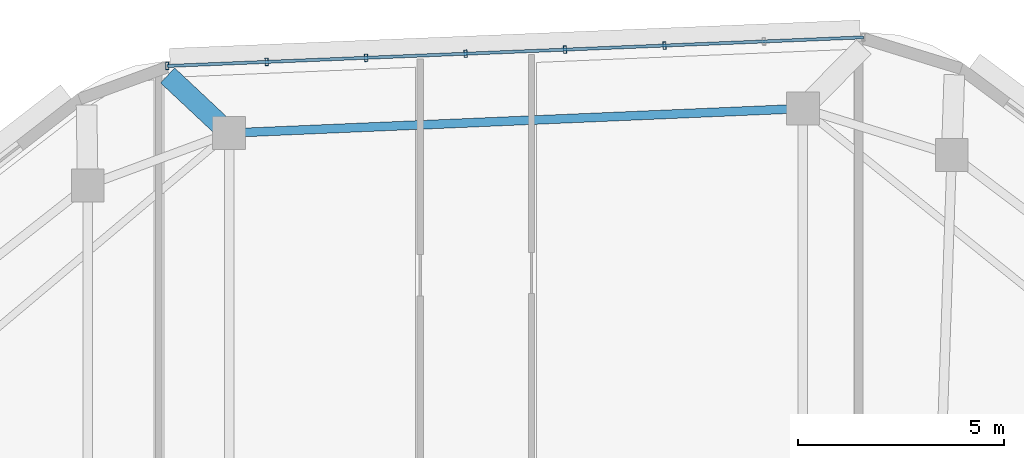
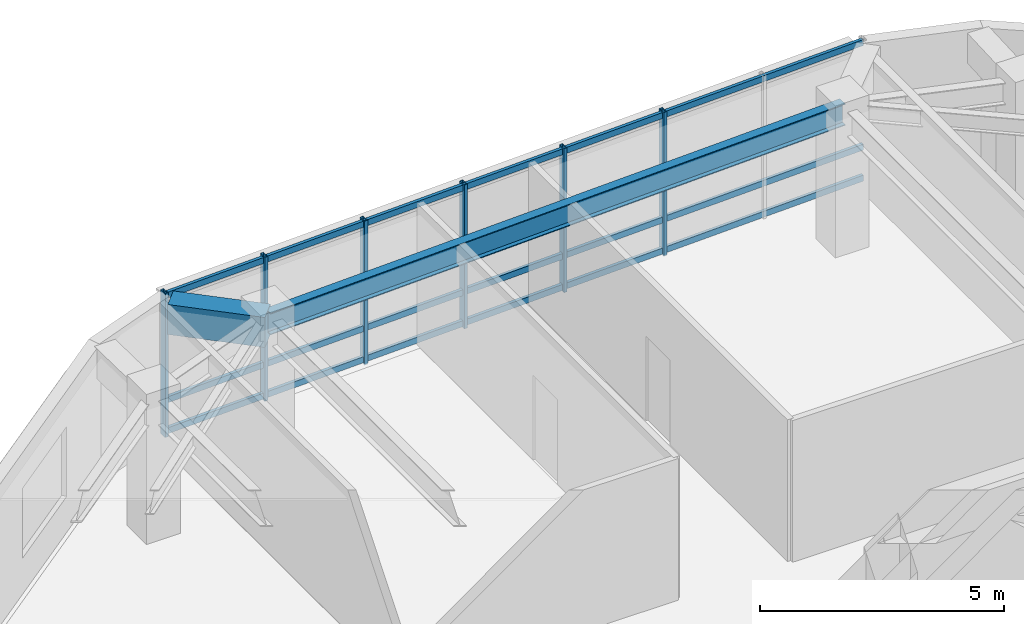
# One storey, part 2 of 12: 9 members, 2 beams, 1 element without a shape of its own.
"""IFC4 building model written with IfcOpenShell, lengths in metres."""

from ifc_helpers import new_model, si_unit, direction, frame, origin, origin_2d, place, context, subcontext, project, spatial, rectangle, hollow_rectangle, i_section, extrude, material, material_profile, profile_set, type_object, element, aggregate, save


model = new_model("IFC4")

# Units and contexts
model_context = context("Model", 3, precision=1e-05, world=origin(), true_north=direction((0.0, 1.0)))
body_context = subcontext(model_context, "Body", "Model", "MODEL_VIEW")
ifc_project = project(units=[si_unit("LENGTHUNIT", "METRE"), si_unit("AREAUNIT", "SQUARE_METRE"), si_unit("VOLUMEUNIT", "CUBIC_METRE"), si_unit("PLANEANGLEUNIT", "RADIAN"), si_unit("MASSUNIT", "GRAM", prefix="KILO")], contexts=[model_context])

# Site, building, storey
site_placement = place(None, origin())
site = spatial("IfcSite", under=ifc_project, at=site_placement, CompositionType="ELEMENT")
building_placement = place(site_placement, origin())
building = spatial("IfcBuilding", under=site, at=building_placement, Name="Zulverin Broadcast Headquarters", CompositionType="ELEMENT")
storey_placement = place(building_placement, frame((0.0, 0.0, 285.800048828125)))
storey = spatial("IfcBuildingStorey", under=building, at=storey_placement, Name="L73", CompositionType="ELEMENT", Elevation=285.800048828125)

# Beams
ifc_material_1 = material(Name="Concrete C40/50", Category="concrete")
ifc_material_profile_1 = material_profile(ifc_material_1, rectangle(XDim=0.5, YDim=0.75, at=origin_2d()), Name="Concrete C40/50", Category="concrete")
ifc_profile_set_1 = profile_set([ifc_material_profile_1], Name="Concrete C40/50")
beam_type_1 = type_object("IfcBeamType", Name="BM-RC-500x750", PredefinedType="BEAM", material=ifc_profile_set_1)
beam_1_placement = place(storey_placement, frame((31.006591796875, 45.699951171875, 3.1650390625), z_axis=(-0.729406997905, 0.684079989041, 0.0), x_axis=(-0.684079989041, -0.729406997905, 0.0)))
element("IfcBeam", 1, at=beam_1_placement, inside=storey, type_object=beam_type_1, Name="L74 Plate Overhang Back-Spanned Beam OVR-10", PredefinedType="BEAM", context=body_context, shape_type="SweptSolid", body=[
    extrude(rectangle(XDim=0.5, YDim=0.75, at=origin_2d()), origin(), (0.0, 0.0, 1.0), 2.046875),
])
ifc_material_2 = material(Name="Structural steel S355JR", Category="steel")
ifc_material_profile_2 = material_profile(ifc_material_2, i_section(OverallWidth=0.2119140625, OverallDepth=0.54443359375, WebThickness=0.0126953125, FlangeThickness=0.021240234375, at=origin_2d()), Name="Structural steel S355JR", Category="steel")
ifc_profile_set_2 = profile_set([ifc_material_profile_2], Name="Structural steel S355JR")
beam_type_2 = type_object("IfcBeamType", Name="BM-UB-533", PredefinedType="SPANDREL", material=ifc_profile_set_2)
beam_2_placement = place(storey_placement, frame((44.944580078125, 46.296630859375, 3.267578125), z_axis=(-0.999084926695, -0.042770424958, 0.0), x_axis=(0.042770424958, -0.999084926695, 0.0)))
element("IfcBeam", 2, at=beam_2_placement, inside=storey, type_object=beam_type_2, Name="L73 Perimeter Spandrel Beam SP-09", PredefinedType="SPANDREL", context=body_context, shape_type="SweptSolid", body=[
    extrude(i_section(OverallWidth=0.2119140625, OverallDepth=0.54443359375, WebThickness=0.0126953125, FlangeThickness=0.021240234375, at=origin_2d()), origin(), (0.0, 0.0, 1.0), 13.95068359375),
])

# Curtain wall, members
ifc_material_3 = material(Name="High-zone solar-control unitised curtain wall", Category="aluminium")
curtain_wall_type = type_object("IfcCurtainWallType", Name="CW-TWR-UPP", PredefinedType="USERDEFINED", material=ifc_material_3)
curtain_wall_placement = place(storey_placement, origin())
curtain_wall = element("IfcCurtainWall", 3, at=curtain_wall_placement, inside=storey, type_object=curtain_wall_type, Name="L73 Unitised Curtain Wall CW-L73-E5", ObjectType="UNITISED CURTAIN WALL", PredefinedType="USERDEFINED")
ifc_material_4 = material(Name="Anodized pale-metal aluminium alloy 6063-T6", Category="aluminium")
ifc_material_profile_3 = material_profile(ifc_material_4, hollow_rectangle(XDim=0.074951171875, YDim=0.179931640625, WallThickness=0.0048828125, at=origin_2d()), Name="Anodized pale-metal aluminium alloy 6063-T6", Category="aluminium")
ifc_profile_set_3 = profile_set([ifc_material_profile_3], Name="Anodized pale-metal aluminium alloy 6063-T6")
member_type_1 = type_object("IfcMemberType", Name="CW-MUL-180", PredefinedType="MULLION", material=ifc_profile_set_3)
member_1_placement = place(storey_placement, frame((41.581787109375, 47.826416015625, -0.030029296875), z_axis=(0.0, 0.0, 1.0), x_axis=(-0.999156343069, -0.041068261531, 0.0)))
member_1 = element("IfcMember", 4, at=member_1_placement, type_object=member_type_1, Name="CW-L73-E5 Mullion 02", PredefinedType="MULLION", context=body_context, shape_type="SweptSolid", body=[
    extrude(hollow_rectangle(XDim=0.074951171875, YDim=0.179931640625, WallThickness=0.0048828125, at=origin_2d()), origin(), (0.0, 0.0, 1.0), 3.60009765625),
])
member_2_placement = place(storey_placement, frame((39.166259765625, 47.72705078125, -0.030029296875), z_axis=(0.0, 0.0, 1.0), x_axis=(-0.999156343069, -0.041068261531, 0.0)))
member_2 = element("IfcMember", 5, at=member_2_placement, type_object=member_type_1, Name="CW-L73-E5 Mullion 03", PredefinedType="MULLION", context=body_context, shape_type="SweptSolid", body=[
    extrude(hollow_rectangle(XDim=0.074951171875, YDim=0.179931640625, WallThickness=0.0048828125, at=origin_2d()), origin(), (0.0, 0.0, 1.0), 3.60009765625),
])
member_3_placement = place(storey_placement, frame((36.750732421875, 47.627685546875, -0.030029296875), z_axis=(0.0, 0.0, 1.0), x_axis=(-0.999156343069, -0.041068261531, 0.0)))
member_3 = element("IfcMember", 6, at=member_3_placement, type_object=member_type_1, Name="CW-L73-E5 Mullion 04", PredefinedType="MULLION", context=body_context, shape_type="SweptSolid", body=[
    extrude(hollow_rectangle(XDim=0.074951171875, YDim=0.179931640625, WallThickness=0.0048828125, at=origin_2d()), origin(), (0.0, 0.0, 1.0), 3.60009765625),
])
member_4_placement = place(storey_placement, frame((34.335205078125, 47.528564453125, -0.030029296875), z_axis=(0.0, 0.0, 1.0), x_axis=(-0.999156343069, -0.041068261531, 0.0)))
member_4 = element("IfcMember", 7, at=member_4_placement, type_object=member_type_1, Name="CW-L73-E5 Mullion 05", PredefinedType="MULLION", context=body_context, shape_type="SweptSolid", body=[
    extrude(hollow_rectangle(XDim=0.074951171875, YDim=0.179931640625, WallThickness=0.0048828125, at=origin_2d()), origin(), (0.0, 0.0, 1.0), 3.60009765625),
])
member_5_placement = place(storey_placement, frame((31.919677734375, 47.42919921875, -0.030029296875), z_axis=(0.0, 0.0, 1.0), x_axis=(-0.999156343069, -0.041068261531, 0.0)))
member_5 = element("IfcMember", 8, at=member_5_placement, type_object=member_type_1, Name="CW-L73-E5 Mullion 06", PredefinedType="MULLION", context=body_context, shape_type="SweptSolid", body=[
    extrude(hollow_rectangle(XDim=0.074951171875, YDim=0.179931640625, WallThickness=0.0048828125, at=origin_2d()), origin(), (0.0, 0.0, 1.0), 3.60009765625),
])
member_6_placement = place(storey_placement, frame((29.504150390625, 47.329833984375, -0.030029296875), z_axis=(0.0, 0.0, 1.0), x_axis=(-0.999156343069, -0.041068261531, 0.0)))
member_6 = element("IfcMember", 9, at=member_6_placement, type_object=member_type_1, Name="CW-L73-E5 Mullion 07", PredefinedType="MULLION", context=body_context, shape_type="SweptSolid", body=[
    extrude(hollow_rectangle(XDim=0.074951171875, YDim=0.179931640625, WallThickness=0.0048828125, at=origin_2d()), origin(), (0.0, 0.0, 1.0), 3.60009765625),
])
ifc_material_profile_4 = material_profile(ifc_material_4, hollow_rectangle(XDim=0.074951171875, YDim=0.14990234375, WallThickness=0.0048828125, at=origin_2d()), Name="Anodized pale-metal aluminium alloy 6063-T6", Category="aluminium")
ifc_profile_set_4 = profile_set([ifc_material_profile_4], Name="Anodized pale-metal aluminium alloy 6063-T6")
member_type_2 = type_object("IfcMemberType", Name="CW-TRN-150", PredefinedType="USERDEFINED", material=ifc_profile_set_4)
member_7_placement = place(storey_placement, frame((46.412841796875, 48.02490234375, 0.074951171875), z_axis=(-0.99915616979, -0.041072477048, 0.0), x_axis=(0.041072477048, -0.99915616979, 0.0)))
member_7 = element("IfcMember", 10, at=member_7_placement, type_object=member_type_2, Name="CW-L73-E5 Transom 0", ObjectType="TRANSOM", PredefinedType="USERDEFINED", context=body_context, shape_type="SweptSolid", body=[
    extrude(hollow_rectangle(XDim=0.074951171875, YDim=0.14990234375, WallThickness=0.0048828125, at=origin_2d()), origin(), (0.0, 0.0, 1.0), 16.9228515625),
])
member_8_placement = place(storey_placement, frame((46.412841796875, 48.02490234375, 0.849609375), z_axis=(-0.99915616979, -0.041072477048, 0.0), x_axis=(0.041072477048, -0.99915616979, 0.0)))
member_8 = element("IfcMember", 11, at=member_8_placement, type_object=member_type_2, Name="CW-L73-E5 Transom 1", ObjectType="TRANSOM", PredefinedType="USERDEFINED", context=body_context, shape_type="SweptSolid", body=[
    extrude(hollow_rectangle(XDim=0.074951171875, YDim=0.14990234375, WallThickness=0.0048828125, at=origin_2d()), origin(), (0.0, 0.0, 1.0), 16.9228515625),
])
member_9_placement = place(storey_placement, frame((46.412841796875, 48.02490234375, 3.46484375), z_axis=(-0.99915616979, -0.041072477048, 0.0), x_axis=(0.041072477048, -0.99915616979, 0.0)))
member_9 = element("IfcMember", 12, at=member_9_placement, type_object=member_type_2, Name="CW-L73-E5 Transom 2", ObjectType="TRANSOM", PredefinedType="USERDEFINED", context=body_context, shape_type="SweptSolid", body=[
    extrude(hollow_rectangle(XDim=0.074951171875, YDim=0.14990234375, WallThickness=0.0048828125, at=origin_2d()), origin(), (0.0, 0.0, 1.0), 16.9228515625),
])
aggregate(curtain_wall, [member_1, member_2, member_3, member_4, member_5, member_6, member_7, member_8, member_9])

save(model, "model.ifc")
